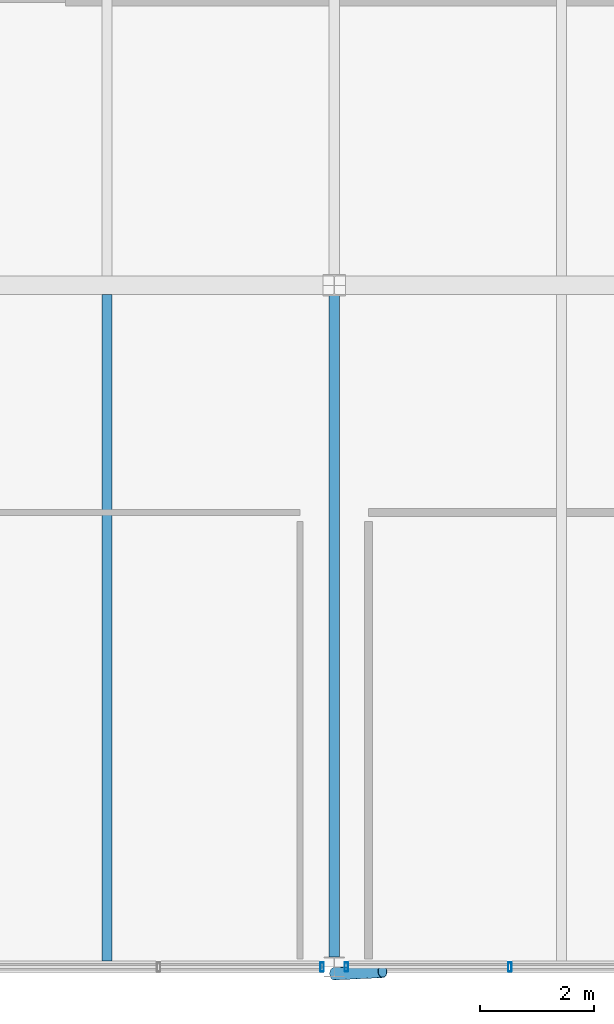
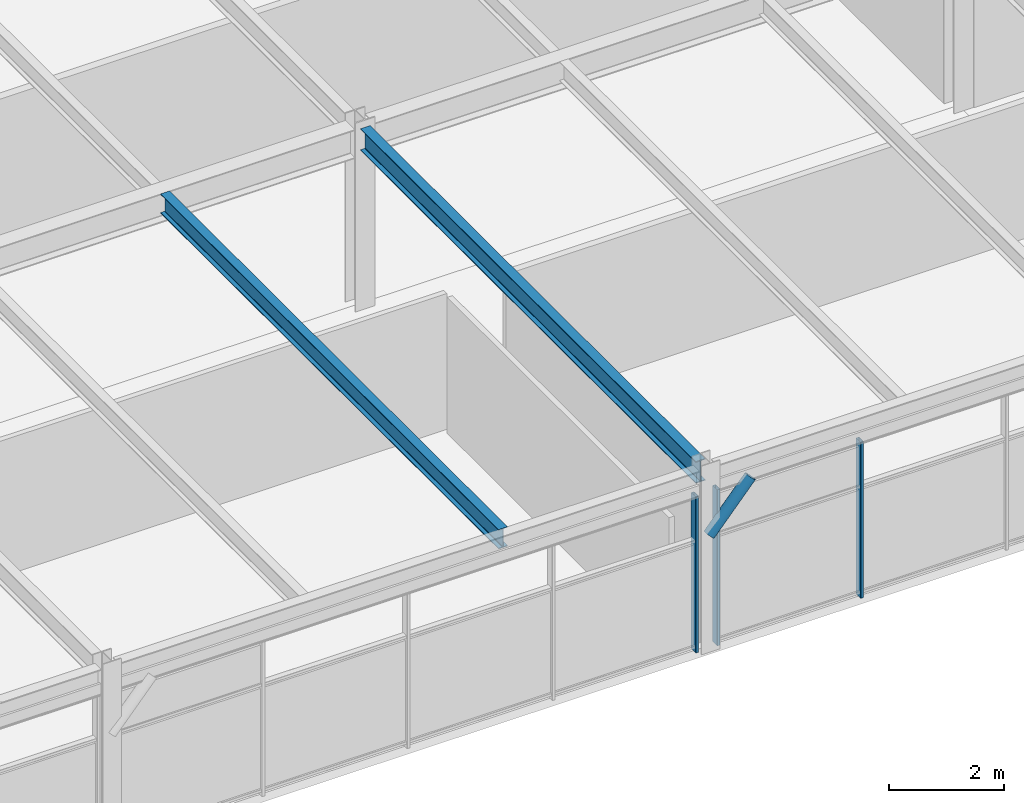
# One storey, part 18 of 40: 4 members, 2 beams, 2 elements without a shape of their own.
"""IFC4 building model written with IfcOpenShell, lengths in metres."""

from ifc_helpers import new_model, si_unit, direction, frame, origin, origin_2d, place, context, subcontext, project, spatial, hollow_rectangle, hollow_circle, i_section, extrude, material, material_profile, profile_set, type_object, element, aggregate, save


model = new_model("IFC4")

# Units and contexts
model_context = context("Model", 3, precision=1e-05, world=origin(), true_north=direction((0.0, 1.0)))
body_context = subcontext(model_context, "Body", "Model", "MODEL_VIEW")
ifc_project = project(units=[si_unit("LENGTHUNIT", "METRE"), si_unit("AREAUNIT", "SQUARE_METRE"), si_unit("VOLUMEUNIT", "CUBIC_METRE"), si_unit("PLANEANGLEUNIT", "RADIAN"), si_unit("MASSUNIT", "GRAM", prefix="KILO")], contexts=[model_context])

# Site, building, storey
site_placement = place(None, origin())
site = spatial("IfcSite", under=ifc_project, at=site_placement, CompositionType="ELEMENT")
building_placement = place(site_placement, origin())
building = spatial("IfcBuilding", under=site, at=building_placement, Name="Girod Span Mobility Hub", CompositionType="ELEMENT")
storey_placement = place(building_placement, frame((0.0, 0.0, 57.60009765625)))
storey = spatial("IfcBuildingStorey", under=building, at=storey_placement, Name="L14", CompositionType="ELEMENT", Elevation=57.60009765625)

# Beams
ifc_material_1 = material(Name="Steel A992 Grade 50", Category="steel")
ifc_material_profile_1 = material_profile(ifc_material_1, i_section(OverallWidth=0.178955078125, OverallDepth=0.409912109375, WebThickness=0.0087890625, FlangeThickness=0.014404296875, FilletRadius=0.012939453125, at=origin_2d()), Name="W16X45")
ifc_profile_set_1 = profile_set([ifc_material_profile_1], Name="Steel A992 Grade 50")
beam_type_1 = type_object("IfcBeamType", Name="BM-STL-W16X45", PredefinedType="BEAM", material=ifc_profile_set_1)
beam_1_placement = place(storey_placement, frame((92.0, 45.10302734375, 3.64501953125), z_axis=(0.0, 1.0, 0.0), x_axis=(-1.0, 0.0, 0.0)))
element("IfcBeam", 1, at=beam_1_placement, inside=storey, type_object=beam_type_1, Name="Composite Floorbeam 8/D-2 L14", PredefinedType="BEAM", context=body_context, shape_type="SweptSolid", body=[
    extrude(i_section(OverallWidth=0.178955078125, OverallDepth=0.409912109375, WebThickness=0.0087890625, FlangeThickness=0.014404296875, FilletRadius=0.012939453125, at=origin_2d()), origin(), (0.0, 0.0, 1.0), 11.738037109375),
])
ifc_material_2 = material(Name="Steel A992 Grade 50", Category="steel")
ifc_material_profile_2 = material_profile(ifc_material_2, i_section(OverallWidth=0.19189453125, OverallDepth=0.462890625, WebThickness=0.010498046875, FlangeThickness=0.017578125, FilletRadius=0.013916015625, at=origin_2d()), Name="W18X60")
ifc_profile_set_2 = profile_set([ifc_material_profile_2], Name="Steel A992 Grade 50")
beam_type_2 = type_object("IfcBeamType", Name="BM-STL-W18X60", PredefinedType="BEAM", material=ifc_profile_set_2)
beam_2_placement = place(storey_placement, frame((96.0, 45.175048828125, 3.618408203125), z_axis=(0.0, 1.0, 0.0), x_axis=(-1.0, 0.0, 0.0)))
element("IfcBeam", 2, at=beam_2_placement, inside=storey, type_object=beam_type_2, Name="Tie Girder 9/D-E L14", PredefinedType="BEAM", context=body_context, shape_type="SweptSolid", body=[
    extrude(i_section(OverallWidth=0.19189453125, OverallDepth=0.462890625, WebThickness=0.010498046875, FlangeThickness=0.017578125, FilletRadius=0.013916015625, at=origin_2d()), origin(), (0.0, 0.0, 1.0), 11.640380859375),
])

# Curtain wall, member
ifc_material_3 = material(Name="Thermally Broken Anodised Aluminium", Category="aluminium")
curtain_wall_type = type_object("IfcCurtainWallType", Name="CW-1164X331", PredefinedType="USERDEFINED", material=ifc_material_3)
curtain_wall_1_placement = place(storey_placement, origin())
curtain_wall_1 = element("IfcCurtainWall", 3, at=curtain_wall_1_placement, inside=storey, type_object=curtain_wall_type, Name="Unitised Curtain Wall CW-L14-S08 L14", ObjectType="UNITISED CURTAIN WALL", PredefinedType="USERDEFINED")
ifc_material_4 = material(Name="Thermally Broken Anodised Aluminium", Category="aluminium")
ifc_material_profile_3 = material_profile(ifc_material_4, hollow_rectangle(XDim=0.159912109375, YDim=0.06005859375, WallThickness=0.00341796875, InnerFilletRadius=0.00341796875, OuterFilletRadius=0.007080078125, at=origin_2d()), Name="CW-ML-60X160")
ifc_profile_set_3 = profile_set([ifc_material_profile_3], Name="Thermally Broken Anodised Aluminium")
member_type_1 = type_object("IfcMemberType", Name="CWM-ML-3", PredefinedType="MULLION", material=ifc_profile_set_3)
member_1_placement = place(storey_placement, frame((95.785400390625, 45.0, 0.0), z_axis=(0.0, 0.0, 1.0), x_axis=(0.0, 1.0, 0.0)))
member_1 = element("IfcMember", 4, at=member_1_placement, type_object=member_type_1, Name="Curtain Wall Mullion CW-L14-S08-M4", PredefinedType="MULLION", context=body_context, shape_type="SweptSolid", body=[
    extrude(hollow_rectangle(XDim=0.159912109375, YDim=0.06005859375, WallThickness=0.00341796875, InnerFilletRadius=0.00341796875, OuterFilletRadius=0.007080078125, at=origin_2d()), origin(), (0.0, 0.0, 1.0), 3.305908203125),
])
aggregate(curtain_wall_1, [member_1])

# Curtain wall, members
curtain_wall_2_placement = place(storey_placement, origin())
curtain_wall_2 = element("IfcCurtainWall", 5, at=curtain_wall_2_placement, inside=storey, type_object=curtain_wall_type, Name="Unitised Curtain Wall CW-L14-S09 L14", ObjectType="UNITISED CURTAIN WALL", PredefinedType="USERDEFINED")
member_2_placement = place(storey_placement, frame((96.214599609375, 45.0, 0.0), z_axis=(0.0, 0.0, 1.0), x_axis=(0.0, 1.0, 0.0)))
member_2 = element("IfcMember", 6, at=member_2_placement, type_object=member_type_1, Name="Curtain Wall Mullion CW-L14-S09-M0", PredefinedType="MULLION", context=body_context, shape_type="SweptSolid", body=[
    extrude(hollow_rectangle(XDim=0.159912109375, YDim=0.06005859375, WallThickness=0.00341796875, InnerFilletRadius=0.00341796875, OuterFilletRadius=0.007080078125, at=origin_2d()), origin(), (0.0, 0.0, 1.0), 3.305908203125),
])
member_3_placement = place(storey_placement, frame((99.09130859375, 45.0, 0.0), z_axis=(0.0, 0.0, 1.0), x_axis=(0.0, 1.0, 0.0)))
member_3 = element("IfcMember", 7, at=member_3_placement, type_object=member_type_1, Name="Curtain Wall Mullion CW-L14-S09-M1", PredefinedType="MULLION", context=body_context, shape_type="SweptSolid", body=[
    extrude(hollow_rectangle(XDim=0.159912109375, YDim=0.06005859375, WallThickness=0.00341796875, InnerFilletRadius=0.00341796875, OuterFilletRadius=0.007080078125, at=origin_2d()), origin(), (0.0, 0.0, 1.0), 3.305908203125),
])
aggregate(curtain_wall_2, [member_2, member_3])

# Member
ifc_material_5 = material(Name="Steel HSS A500 Grade C", Category="steel")
ifc_material_profile_4 = material_profile(ifc_material_5, hollow_circle(Radius=0.109619140625, WallThickness=0.0087890625, at=origin_2d()), Name="HSS219X9.5")
ifc_profile_set_4 = profile_set([ifc_material_profile_4], Name="Steel HSS A500 Grade C")
member_type_2 = type_object("IfcMemberType", Name="MB-ST-HSS219", PredefinedType="STRUT", material=ifc_profile_set_4)
member_4_placement = place(storey_placement, frame((96.0, 44.8798828125, 2.449951171875), z_axis=(0.678338294934, 0.031949305103, 0.734054766029), x_axis=(-0.047047213483, 0.998892666758, 0.0)))
element("IfcMember", 8, at=member_4_placement, inside=storey, type_object=member_type_2, Name="Solar Shading Knee Strut 9 L14", PredefinedType="STRUT", context=body_context, shape_type="SweptSolid", body=[
    extrude(hollow_circle(Radius=0.109619140625, WallThickness=0.0087890625, at=origin_2d()), origin(), (0.0, 0.0, 1.0), 1.253173828125),
])

save(model, "model.ifc")
